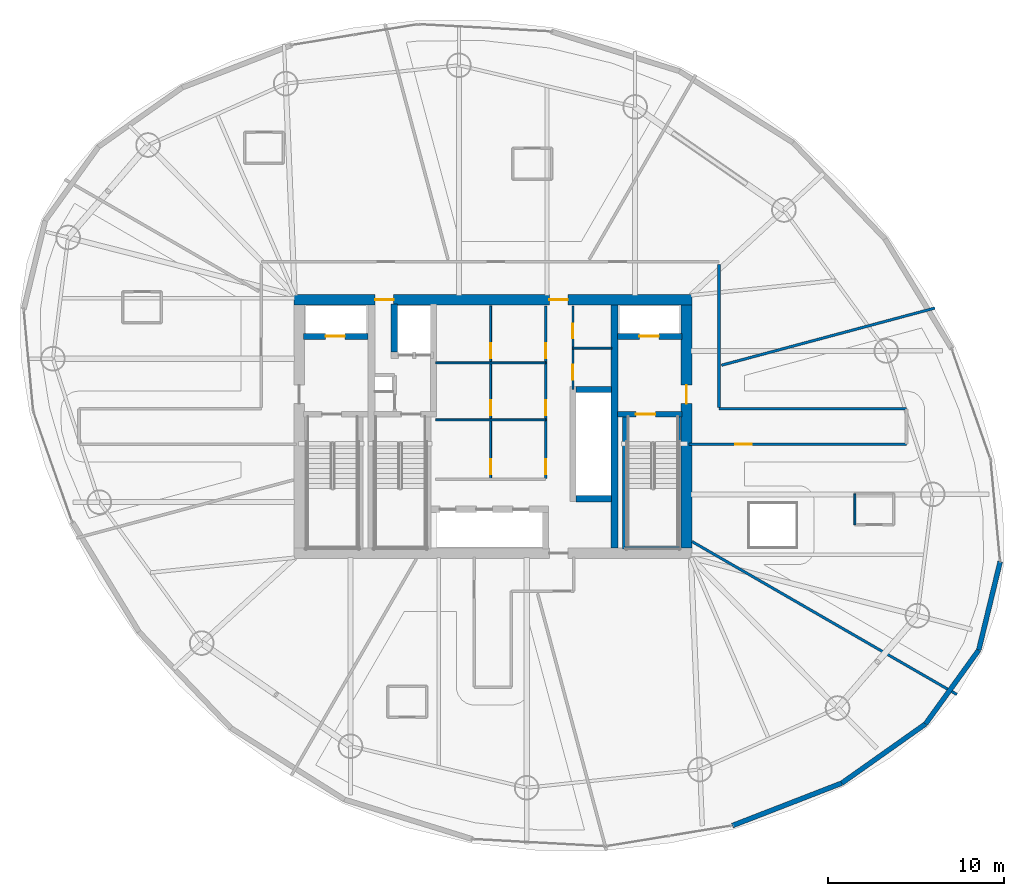
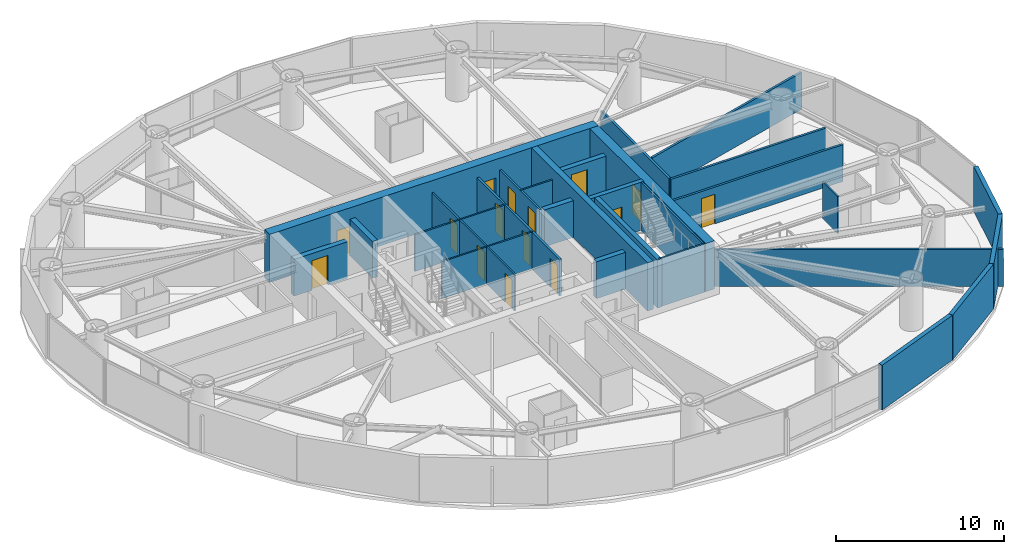
# One storey, part 16 of 20: 28 walls, 15 doors, 15 openings.
"""IFC4 building model written with IfcOpenShell, lengths in metres."""

from ifc_helpers import new_model, si_unit, direction, frame, frame_2d, origin, place, context, subcontext, project, spatial, rectangle, extrude, material, layer, layer_set, type_object, element, fill, save


model = new_model("IFC4")

# Units and contexts
model_context = context("Model", 3, precision=1e-05, world=origin(), true_north=direction((0.0, 1.0)))
body_context = subcontext(model_context, "Body", "Model", "MODEL_VIEW")
ifc_project = project(units=[si_unit("LENGTHUNIT", "METRE"), si_unit("AREAUNIT", "SQUARE_METRE"), si_unit("VOLUMEUNIT", "CUBIC_METRE"), si_unit("PLANEANGLEUNIT", "RADIAN"), si_unit("MASSUNIT", "GRAM", prefix="KILO")], contexts=[model_context])

# Site, building, storey
site_placement = place(None, origin())
site = spatial("IfcSite", under=ifc_project, at=site_placement, CompositionType="ELEMENT")
building_placement = place(site_placement, origin())
building = spatial("IfcBuilding", under=site, at=building_placement, Name="Bramvorn Convention Spire", CompositionType="ELEMENT")
storey_placement = place(building_placement, frame((0.0, 0.0, 130.800048828125)))
storey = spatial("IfcBuildingStorey", under=building, at=storey_placement, Name="L32", CompositionType="ELEMENT", Elevation=130.800048828125)

# Wall, openings, doors
ifc_material_1 = material(Name="Concrete C60/70", Category="concrete")
ifc_layer_1 = layer(ifc_material_1, 0.60009765625)
ifc_layer_set_1 = layer_set([ifc_layer_1], Name="Concrete C60/70 - WL-CORE-600")
wall_type_1 = type_object("IfcWallType", Name="WL-CORE-600", PredefinedType="SHEAR", material=ifc_layer_set_1)
wall_1_placement = place(storey_placement, frame((26.699951171875, 33.199951171875, 0.0), z_axis=(0.0, 0.0, 1.0), x_axis=(1.0, 0.0, 0.0)))
wall_1 = element("IfcWall", 1, at=wall_1_placement, inside=storey, type_object=wall_type_1, Name="L32 North RC core shear wall", PredefinedType="SHEAR", context=body_context, shape_type="SweptSolid", body=[
    extrude(rectangle(XDim=22.60009765625, YDim=0.60009765625, at=frame_2d((11.300048828125, 0.0))), origin(), (0.0, 0.0, 1.0), 3.5),
])
opening_1_placement = place(wall_1_placement, frame((4.6201171875, 0.0, 0.0)))
opening_1 = element("IfcOpeningElement", 2, at=opening_1_placement, cuts=wall_1, Name="Opening DL-105", PredefinedType="OPENING", context=body_context, shape_type="SweptSolid", body=[
    extrude(rectangle(XDim=1.050048828125, YDim=2.14990234375, at=frame_2d((0.52490234375, 1.074951171875))), frame((0.0, 0.31005859375, 0.0), z_axis=(0.0, -1.0, 0.0), x_axis=(1.0, 0.0, 0.0)), (0.0, 0.0, 1.0), 0.6201171875),
])
opening_2_placement = place(wall_1_placement, frame((14.52001953125, 0.0, 0.0)))
opening_2 = element("IfcOpeningElement", 3, at=opening_2_placement, cuts=wall_1, Name="Opening DL-105", PredefinedType="OPENING", context=body_context, shape_type="SweptSolid", body=[
    extrude(rectangle(XDim=1.050048828125, YDim=2.14990234375, at=frame_2d((0.52490234375, 1.074951171875))), frame((0.0, 0.31005859375, 0.0), z_axis=(0.0, -1.0, 0.0), x_axis=(1.0, 0.0, 0.0)), (0.0, 0.0, 1.0), 0.6201171875),
])
ifc_material_2 = material(Name="Smoke-Sealed Fire Lobby Timber-Core Door", Category="wood")
door_type_1 = type_object("IfcDoorType", Name="DR-LOBBY-1050", OperationType="NOTDEFINED", PredefinedType="DOOR", material=ifc_material_2)
door_1_placement = place(opening_1_placement, origin())
door_1 = element("IfcDoor", 4, at=door_1_placement, inside=storey, type_object=door_type_1, Name="L32 Service & Stair ST3 Lobby north corridor door", OperationType="SINGLE_SWING_LEFT", OverallHeight=2.14990234375, OverallWidth=1.050048828125, PredefinedType="DOOR", context=body_context, shape_type="SweptSolid", body=[
    extrude(rectangle(XDim=1.050048828125, YDim=2.14990234375, at=frame_2d((0.52490234375, 1.074951171875))), frame((0.0, 0.02490234375, 0.0), z_axis=(0.0, -1.0, 0.0), x_axis=(1.0, 0.0, 0.0)), (0.0, 0.0, 1.0), 0.050048828125),
])
fill(opening_1, door_1)
door_2_placement = place(opening_2_placement, origin())
door_2 = element("IfcDoor", 5, at=door_2_placement, inside=storey, type_object=door_type_1, Name="L32 North Lift Lobby fire door", OperationType="SINGLE_SWING_LEFT", OverallHeight=2.14990234375, OverallWidth=1.050048828125, PredefinedType="DOOR", context=body_context, shape_type="SweptSolid", body=[
    extrude(rectangle(XDim=1.050048828125, YDim=2.14990234375, at=frame_2d((0.52490234375, 1.074951171875))), frame((0.0, 0.02490234375, 0.0), z_axis=(0.0, -1.0, 0.0), x_axis=(1.0, 0.0, 0.0)), (0.0, 0.0, 1.0), 0.050048828125),
])
fill(opening_2, door_2)

# Wall, opening, door
wall_2_placement = place(storey_placement, frame((49.0, 19.10009765625, 0.0), z_axis=(0.0, 0.0, 1.0), x_axis=(0.0, 1.0, 0.0)))
wall_2 = element("IfcWall", 6, at=wall_2_placement, inside=storey, type_object=wall_type_1, Name="L32 East RC core shear wall", PredefinedType="SHEAR", context=body_context, shape_type="SweptSolid", body=[
    extrude(rectangle(XDim=13.7998046875, YDim=0.60009765625, at=frame_2d((6.89990234375, 0.0))), origin(), (0.0, 0.0, 1.0), 3.5),
])
opening_3_placement = place(wall_2_placement, frame((8.199951171875, 0.0, 0.0)))
opening_3 = element("IfcOpeningElement", 7, at=opening_3_placement, cuts=wall_2, Name="Opening DL-105", PredefinedType="OPENING", context=body_context, shape_type="SweptSolid", body=[
    extrude(rectangle(XDim=1.050048828125, YDim=2.14990234375, at=frame_2d((0.52490234375, 1.074951171875))), frame((0.0, 0.31005859375, 0.0), z_axis=(0.0, -1.0, 0.0), x_axis=(1.0, 0.0, 0.0)), (0.0, 0.0, 1.0), 0.6201171875),
])
door_3_placement = place(opening_3_placement, origin())
door_3 = element("IfcDoor", 8, at=door_3_placement, inside=storey, type_object=door_type_1, Name="L32 East Firefighting Lobby corridor door", OperationType="SINGLE_SWING_LEFT", OverallHeight=2.14990234375, OverallWidth=1.050048828125, PredefinedType="DOOR", context=body_context, shape_type="SweptSolid", body=[
    extrude(rectangle(XDim=1.050048828125, YDim=2.14990234375, at=frame_2d((0.52490234375, 1.074951171875))), frame((0.0, 0.02490234375, 0.0), z_axis=(0.0, -1.0, 0.0), x_axis=(1.0, 0.0, 0.0)), (0.0, 0.0, 1.0), 0.050048828125),
])
fill(opening_3, door_3)

ifc_material_3 = material(Name="Concrete C50/60", Category="concrete")
ifc_layer_2 = layer(ifc_material_3, 0.35009765625)
ifc_layer_set_2 = layer_set([ifc_layer_2], Name="Concrete C50/60 - WL-CORE-INT-350")
wall_type_2 = type_object("IfcWallType", Name="WL-CORE-INT-350", PredefinedType="SHEAR", material=ifc_layer_set_2)
wall_3_placement = place(storey_placement, frame((27.25, 31.1201171875, 0.0), z_axis=(0.0, 0.0, 1.0), x_axis=(1.0, 0.0, 0.0)))
wall_3 = element("IfcWall", 9, at=wall_3_placement, inside=storey, type_object=wall_type_2, Name="L32 FE1 shaft front wall", PredefinedType="SHEAR", context=body_context, shape_type="SweptSolid", body=[
    extrude(rectangle(XDim=3.669921875, YDim=0.35009765625, at=frame_2d((1.8349609375, 0.0))), origin(), (0.0, 0.0, 1.0), 2.675048828125),
])
opening_4_placement = place(wall_3_placement, frame((1.25, 0.0, 0.0)))
opening_4 = element("IfcOpeningElement", 10, at=opening_4_placement, cuts=wall_3, Name="Opening LD-110", PredefinedType="OPENING", context=body_context, shape_type="SweptSolid", body=[
    extrude(rectangle(XDim=1.10009765625, YDim=2.14990234375, at=frame_2d((0.550048828125, 1.074951171875))), frame((0.0, 0.18505859375, 0.0), z_axis=(0.0, -1.0, 0.0), x_axis=(1.0, 0.0, 0.0)), (0.0, 0.0, 1.0), 0.3701171875),
])
ifc_material_4 = material(Name="Firefighting & Service Lift Sliding Landing Door", Category="steel")
door_type_2 = type_object("IfcDoorType", Name="DR-LIFT-LD-1100", OperationType="NOTDEFINED", PredefinedType="DOOR", material=ifc_material_4)
door_4_placement = place(opening_4_placement, origin())
door_4 = element("IfcDoor", 11, at=door_4_placement, inside=storey, type_object=door_type_2, Name="L32 Lift FE1 Sliding Landing Door", OperationType="SLIDING_TO_LEFT", OverallHeight=2.14990234375, OverallWidth=1.10009765625, PredefinedType="DOOR", context=body_context, shape_type="SweptSolid", body=[
    extrude(rectangle(XDim=1.10009765625, YDim=2.14990234375, at=frame_2d((0.550048828125, 1.074951171875))), frame((0.0, 0.02490234375, 0.0), z_axis=(0.0, -1.0, 0.0), x_axis=(1.0, 0.0, 0.0)), (0.0, 0.0, 1.0), 0.050048828125),
])
fill(opening_4, door_4)

wall_4_placement = place(storey_placement, frame((45.080078125, 31.1201171875, 0.0), z_axis=(0.0, 0.0, 1.0), x_axis=(1.0, 0.0, 0.0)))
wall_4 = element("IfcWall", 12, at=wall_4_placement, inside=storey, type_object=wall_type_2, Name="L32 FE2 shaft front wall", PredefinedType="SHEAR", context=body_context, shape_type="SweptSolid", body=[
    extrude(rectangle(XDim=3.669921875, YDim=0.35009765625, at=frame_2d((1.8349609375, 0.0))), origin(), (0.0, 0.0, 1.0), 2.675048828125),
])
opening_5_placement = place(wall_4_placement, frame((1.25, 0.0, 0.0)))
opening_5 = element("IfcOpeningElement", 13, at=opening_5_placement, cuts=wall_4, Name="Opening LD-110", PredefinedType="OPENING", context=body_context, shape_type="SweptSolid", body=[
    extrude(rectangle(XDim=1.10009765625, YDim=2.14990234375, at=frame_2d((0.550048828125, 1.074951171875))), frame((0.0, 0.18505859375, 0.0), z_axis=(0.0, -1.0, 0.0), x_axis=(1.0, 0.0, 0.0)), (0.0, 0.0, 1.0), 0.3701171875),
])
door_5_placement = place(opening_5_placement, origin())
door_5 = element("IfcDoor", 14, at=door_5_placement, inside=storey, type_object=door_type_2, Name="L32 Lift FE2 Sliding Landing Door", OperationType="SLIDING_TO_LEFT", OverallHeight=2.14990234375, OverallWidth=1.10009765625, PredefinedType="DOOR", context=body_context, shape_type="SweptSolid", body=[
    extrude(rectangle(XDim=1.10009765625, YDim=2.14990234375, at=frame_2d((0.550048828125, 1.074951171875))), frame((0.0, 0.02490234375, 0.0), z_axis=(0.0, -1.0, 0.0), x_axis=(1.0, 0.0, 0.0)), (0.0, 0.0, 1.0), 0.050048828125),
])
fill(opening_5, door_5)

# Walls
wall_5_placement = place(storey_placement, frame((32.39990234375, 30.219970703125, 0.0), z_axis=(0.0, 0.0, 1.0), x_axis=(0.0, 1.0, 0.0)))
element("IfcWall", 15, at=wall_5_placement, inside=storey, type_object=wall_type_2, Name="L32 SV1 west hoistway wall", PredefinedType="SHEAR", context=body_context, shape_type="SweptSolid", body=[
    extrude(rectangle(XDim=2.72998046875, YDim=0.35009765625, at=frame_2d((1.364990234375, 0.0))), origin(), (0.0, 0.0, 1.0), 2.675048828125),
])
for number, where, z_axis, x_axis, name in (
    (16, (42.719970703125, 21.89990234375, 0.0), (0.0, 0.0, 1.0), (1.0, 0.0, 0.0), "L32 High-rise lift bank south wall"),
    (17, (42.719970703125, 28.10009765625, 0.0), (0.0, 0.0, 1.0), (1.0, 0.0, 0.0), "L32 High-rise lift bank north wall"),
):
    element("IfcWall", number, at=place(storey_placement, frame(where, z_axis=z_axis, x_axis=x_axis)), inside=storey, type_object=wall_type_2, Name=name, PredefinedType="SHEAR", context=body_context, shape_type="SweptSolid", body=[
        extrude(rectangle(XDim=2.030029296875, YDim=0.35009765625, at=frame_2d((1.01513671875, 0.0))), origin(), (0.0, 0.0, 1.0), 2.675048828125),
    ])
ifc_layer_3 = layer(ifc_material_1, 0.39990234375)
ifc_layer_set_3 = layer_set([ifc_layer_3], Name="Concrete C60/70 - WL-CORE-INT-400")
wall_type_3 = type_object("IfcWallType", Name="WL-CORE-INT-400", PredefinedType="SHEAR", material=ifc_layer_set_3)
wall_6_placement = place(storey_placement, frame((44.89990234375, 19.10009765625, 0.0), z_axis=(0.0, 0.0, 1.0), x_axis=(0.0, 1.0, 0.0)))
element("IfcWall", 18, at=wall_6_placement, inside=storey, type_object=wall_type_3, Name="L32 East internal core shear web", PredefinedType="SHEAR", context=body_context, shape_type="SweptSolid", body=[
    extrude(rectangle(XDim=13.7998046875, YDim=0.39990234375, at=frame_2d((6.89990234375, 0.0))), origin(), (0.0, 0.0, 1.0), 3.5),
])
ifc_material_5 = material(Name="Precast Concrete C40/50 with Bronze Terracotta Rainscreen", Category="masonry")
ifc_layer_4 = layer(ifc_material_5, 0.300048828125)
ifc_layer_set_4 = layer_set([ifc_layer_4], Name="Precast Concrete C40/50 with Bronze Terracotta Rainscreen - WL-EXT-BRONZE-300")
wall_type_4 = type_object("IfcWallType", Name="WL-EXT-BRONZE-300", PredefinedType="SOLIDWALL", material=ifc_layer_set_4)
wall_7_placement = place(storey_placement, frame((66.819091796875, 18.333984375, 0.0), z_axis=(0.0, 0.0, 1.0), x_axis=(-0.235490639643, -0.971876616984, 0.0)))
element("IfcWall", 19, at=wall_7_placement, inside=storey, type_object=wall_type_4, Name="L32 expressed bronze Gothic lancet pier wall 01", PredefinedType="SOLIDWALL", context=body_context, shape_type="SweptSolid", body=[
    extrude(rectangle(XDim=5.17431640625, YDim=0.280029296875, at=frame_2d((2.587158203125, 0.0))), origin(), (0.0, 0.0, 1.0), 3.260009765625),
])
wall_8_placement = place(storey_placement, frame((57.820556640625, 5.74609375, 0.0), z_axis=(0.0, 0.0, 1.0), x_axis=(-0.932242322599, -0.361834564347, 0.0)))
element("IfcWall", 20, at=wall_8_placement, inside=storey, type_object=wall_type_4, Name="L32 expressed bronze Gothic lancet pier wall 22", PredefinedType="SOLIDWALL", context=body_context, shape_type="SweptSolid", body=[
    extrude(rectangle(XDim=6.6650390625, YDim=0.280029296875, at=frame_2d((3.33251953125, 0.0))), origin(), (0.0, 0.0, 1.0), 3.260009765625),
])
wall_9_placement = place(storey_placement, frame((62.5751953125, 9.107421875, 0.0), z_axis=(0.0, 0.0, 1.0), x_axis=(-0.816553986167, -0.577269077358, 0.0)))
element("IfcWall", 21, at=wall_9_placement, inside=storey, type_object=wall_type_4, Name="L32 expressed bronze Gothic lancet pier wall 23", PredefinedType="SOLIDWALL", context=body_context, shape_type="SweptSolid", body=[
    extrude(rectangle(XDim=5.82275390625, YDim=0.280029296875, at=frame_2d((2.911376953125, 0.0))), origin(), (0.0, 0.0, 1.0), 3.260009765625),
])
wall_10_placement = place(storey_placement, frame((65.6005859375, 13.30517578125, 0.0), z_axis=(0.0, 0.0, 1.0), x_axis=(-0.584687491666, -0.811258612952, 0.0)))
element("IfcWall", 22, at=wall_10_placement, inside=storey, type_object=wall_type_4, Name="L32 expressed bronze Gothic lancet pier wall 24", PredefinedType="SOLIDWALL", context=body_context, shape_type="SweptSolid", body=[
    extrude(rectangle(XDim=5.17431640625, YDim=0.280029296875, at=frame_2d((2.587158203125, 0.0))), origin(), (0.0, 0.0, 1.0), 3.260009765625),
])

# Wall, openings, doors
ifc_material_6 = material(Name="Lightweight En-Suite & Wet-Wall Partition", Category="gypsum")
ifc_layer_5 = layer(ifc_material_6, 0.110107421875)
ifc_layer_set_5 = layer_set([ifc_layer_5], Name="Lightweight En-Suite & Wet-Wall Partition - WL-PART-110")
wall_type_5 = type_object("IfcWallType", Name="WL-PART-110", PredefinedType="PARTITIONING", material=ifc_layer_set_5)
wall_11_placement = place(storey_placement, frame((37.8798828125, 23.050048828125, 0.0), z_axis=(0.0, 0.0, 1.0), x_axis=(0.0, 1.0, 0.0)))
wall_11 = element("IfcWall", 23, at=wall_11_placement, inside=storey, type_object=wall_type_5, Name="L32 KB center wall", PredefinedType="PARTITIONING", context=body_context, shape_type="SweptSolid", body=[
    extrude(rectangle(XDim=9.800048828125, YDim=0.110107421875, at=frame_2d((4.89990234375, 0.0))), origin(), (0.0, 0.0, 1.0), 2.675048828125),
])
opening_6_placement = place(wall_11_placement, frame((0.25, 0.0, 0.0)))
opening_6 = element("IfcOpeningElement", 24, at=opening_6_placement, cuts=wall_11, Name="Opening DC-085", PredefinedType="OPENING", context=body_context, shape_type="SweptSolid", body=[
    extrude(rectangle(XDim=0.85009765625, YDim=2.10009765625, at=frame_2d((0.425048828125, 1.050048828125))), frame((0.0, 0.06494140625, 0.0), z_axis=(0.0, -1.0, 0.0), x_axis=(1.0, 0.0, 0.0)), (0.0, 0.0, 1.0), 0.130126953125),
])
opening_7_placement = place(wall_11_placement, frame((3.58203125, 0.0, 0.0)))
opening_7 = element("IfcOpeningElement", 25, at=opening_7_placement, cuts=wall_11, Name="Opening DC-085", PredefinedType="OPENING", context=body_context, shape_type="SweptSolid", body=[
    extrude(rectangle(XDim=0.85009765625, YDim=2.10009765625, at=frame_2d((0.425048828125, 1.050048828125))), frame((0.0, 0.06494140625, 0.0), z_axis=(0.0, -1.0, 0.0), x_axis=(1.0, 0.0, 0.0)), (0.0, 0.0, 1.0), 0.130126953125),
])
opening_8_placement = place(wall_11_placement, frame((6.81591796875, 0.0, 0.0)))
opening_8 = element("IfcOpeningElement", 26, at=opening_8_placement, cuts=wall_11, Name="Opening DC-085", PredefinedType="OPENING", context=body_context, shape_type="SweptSolid", body=[
    extrude(rectangle(XDim=0.85009765625, YDim=2.10009765625, at=frame_2d((0.425048828125, 1.050048828125))), frame((0.0, 0.06494140625, 0.0), z_axis=(0.0, -1.0, 0.0), x_axis=(1.0, 0.0, 0.0)), (0.0, 0.0, 1.0), 0.130126953125),
])
ifc_material_7 = material(Name="Fire-Rated Core Washroom & IDF Door", Category="wood")
door_type_3 = type_object("IfcDoorType", Name="DR-CORE-850", OperationType="NOTDEFINED", PredefinedType="DOOR", material=ifc_material_7)
door_6_placement = place(opening_6_placement, origin())
door_6 = element("IfcDoor", 27, at=door_6_placement, inside=storey, type_object=door_type_3, Name="L32 Core Linen Store door", OperationType="SINGLE_SWING_LEFT", OverallHeight=2.10009765625, OverallWidth=0.85009765625, PredefinedType="DOOR", context=body_context, shape_type="SweptSolid", body=[
    extrude(rectangle(XDim=0.85009765625, YDim=2.10009765625, at=frame_2d((0.425048828125, 1.050048828125))), frame((0.0, 0.02490234375, 0.0), z_axis=(0.0, -1.0, 0.0), x_axis=(1.0, 0.0, 0.0)), (0.0, 0.0, 1.0), 0.050048828125),
])
fill(opening_6, door_6)
door_7_placement = place(opening_7_placement, origin())
door_7 = element("IfcDoor", 28, at=door_7_placement, inside=storey, type_object=door_type_3, Name="L32 Core Metering Closet door", OperationType="SINGLE_SWING_LEFT", OverallHeight=2.10009765625, OverallWidth=0.85009765625, PredefinedType="DOOR", context=body_context, shape_type="SweptSolid", body=[
    extrude(rectangle(XDim=0.85009765625, YDim=2.10009765625, at=frame_2d((0.425048828125, 1.050048828125))), frame((0.0, 0.02490234375, 0.0), z_axis=(0.0, -1.0, 0.0), x_axis=(1.0, 0.0, 0.0)), (0.0, 0.0, 1.0), 0.050048828125),
])
fill(opening_7, door_7)
door_8_placement = place(opening_8_placement, origin())
door_8 = element("IfcDoor", 29, at=door_8_placement, inside=storey, type_object=door_type_3, Name="L32 Core Janitor Supply door", OperationType="SINGLE_SWING_LEFT", OverallHeight=2.10009765625, OverallWidth=0.85009765625, PredefinedType="DOOR", context=body_context, shape_type="SweptSolid", body=[
    extrude(rectangle(XDim=0.85009765625, YDim=2.10009765625, at=frame_2d((0.425048828125, 1.050048828125))), frame((0.0, 0.02490234375, 0.0), z_axis=(0.0, -1.0, 0.0), x_axis=(1.0, 0.0, 0.0)), (0.0, 0.0, 1.0), 0.050048828125),
])
fill(opening_8, door_8)

# Walls
for number, where, z_axis, x_axis, name in (
    (30, (34.75, 26.382080078125, 0.0), (0.0, 0.0, 1.0), (1.0, 0.0, 0.0), "L32 KB divider 1"),
    (31, (34.75, 29.615966796875, 0.0), (0.0, 0.0, 1.0), (1.0, 0.0, 0.0), "L32 KB divider 2"),
):
    element("IfcWall", number, at=place(storey_placement, frame(where, z_axis=z_axis, x_axis=x_axis)), inside=storey, type_object=wall_type_5, Name=name, PredefinedType="PARTITIONING", context=body_context, shape_type="SweptSolid", body=[
        extrude(rectangle(XDim=6.25, YDim=0.110107421875, at=frame_2d((3.125, 0.0))), origin(), (0.0, 0.0, 1.0), 2.675048828125),
    ])
wall_12_placement = place(storey_placement, frame((42.550048828125, 30.449951171875, 0.0), z_axis=(0.0, 0.0, 1.0), x_axis=(1.0, 0.0, 0.0)))
element("IfcWall", 32, at=wall_12_placement, inside=storey, type_object=wall_type_5, Name="L32 KB NE divider", PredefinedType="PARTITIONING", context=body_context, shape_type="SweptSolid", body=[
    extrude(rectangle(XDim=2.199951171875, YDim=0.110107421875, at=frame_2d((1.10009765625, 0.0))), origin(), (0.0, 0.0, 1.0), 2.675048828125),
])
wall_13_placement = place(storey_placement, frame((58.5693359375, 20.41357421875, 0.0), z_axis=(0.0, 0.0, 1.0), x_axis=(0.0, 1.0, 0.0)))
element("IfcWall", 33, at=wall_13_placement, inside=storey, type_object=wall_type_5, Name="Hotel Suite 3208 en-suite west wall", PredefinedType="PARTITIONING", context=body_context, shape_type="SweptSolid", body=[
    extrude(rectangle(XDim=1.760009765625, YDim=0.110107421875, at=frame_2d((0.8798828125, 0.0))), origin(), (0.0, 0.0, 1.0), 2.675048828125),
])

# Wall, openings, doors
ifc_material_8 = material(Name="Metal-Stud Demountable Office Partition", Category="gypsum")
ifc_layer_6 = layer(ifc_material_8, 0.1298828125)
ifc_layer_set_6 = layer_set([ifc_layer_6], Name="Metal-Stud Demountable Office Partition - WL-PART-130")
wall_type_6 = type_object("IfcWallType", Name="WL-PART-130", PredefinedType="PARTITIONING", material=ifc_layer_set_6)
wall_14_placement = place(storey_placement, frame((42.550048828125, 28.10009765625, 0.0), z_axis=(0.0, 0.0, 1.0), x_axis=(0.0, 1.0, 0.0)))
wall_14 = element("IfcWall", 34, at=wall_14_placement, inside=storey, type_object=wall_type_6, Name="L32 KB NE split wall", PredefinedType="PARTITIONING", context=body_context, shape_type="SweptSolid", body=[
    extrude(rectangle(XDim=4.75, YDim=0.1298828125, at=frame_2d((2.375, 0.0))), origin(), (0.0, 0.0, 1.0), 2.675048828125),
])
opening_9_placement = place(wall_14_placement, frame((0.550048828125, 0.0, 0.0)))
opening_9 = element("IfcOpeningElement", 35, at=opening_9_placement, cuts=wall_14, Name="Opening DC-085", PredefinedType="OPENING", context=body_context, shape_type="SweptSolid", body=[
    extrude(rectangle(XDim=0.85009765625, YDim=2.10009765625, at=frame_2d((0.425048828125, 1.050048828125))), frame((0.0, 0.074951171875, 0.0), z_axis=(0.0, -1.0, 0.0), x_axis=(1.0, 0.0, 0.0)), (0.0, 0.0, 1.0), 0.14990234375),
])
opening_10_placement = place(wall_14_placement, frame((2.89990234375, 0.0, 0.0)))
opening_10 = element("IfcOpeningElement", 36, at=opening_10_placement, cuts=wall_14, Name="Opening DC-085", PredefinedType="OPENING", context=body_context, shape_type="SweptSolid", body=[
    extrude(rectangle(XDim=0.85009765625, YDim=2.10009765625, at=frame_2d((0.425048828125, 1.050048828125))), frame((0.0, 0.074951171875, 0.0), z_axis=(0.0, -1.0, 0.0), x_axis=(1.0, 0.0, 0.0)), (0.0, 0.0, 1.0), 0.14990234375),
])
door_9_placement = place(opening_9_placement, origin())
door_9 = element("IfcDoor", 37, at=door_9_placement, inside=storey, type_object=door_type_3, Name="L32 Core Staff WC door", OperationType="SINGLE_SWING_LEFT", OverallHeight=2.10009765625, OverallWidth=0.85009765625, PredefinedType="DOOR", context=body_context, shape_type="SweptSolid", body=[
    extrude(rectangle(XDim=0.85009765625, YDim=2.10009765625, at=frame_2d((0.425048828125, 1.050048828125))), frame((0.0, 0.02490234375, 0.0), z_axis=(0.0, -1.0, 0.0), x_axis=(1.0, 0.0, 0.0)), (0.0, 0.0, 1.0), 0.050048828125),
])
fill(opening_9, door_9)
door_10_placement = place(opening_10_placement, origin())
door_10 = element("IfcDoor", 38, at=door_10_placement, inside=storey, type_object=door_type_3, Name="L32 Core Data Closet door", OperationType="SINGLE_SWING_LEFT", OverallHeight=2.10009765625, OverallWidth=0.85009765625, PredefinedType="DOOR", context=body_context, shape_type="SweptSolid", body=[
    extrude(rectangle(XDim=0.85009765625, YDim=2.10009765625, at=frame_2d((0.425048828125, 1.050048828125))), frame((0.0, 0.02490234375, 0.0), z_axis=(0.0, -1.0, 0.0), x_axis=(1.0, 0.0, 0.0)), (0.0, 0.0, 1.0), 0.050048828125),
])
fill(opening_10, door_10)

ifc_material_9 = material(Name="Acoustic Metal-Stud Tenant/Corridor Partition", Category="gypsum")
ifc_layer_7 = layer(ifc_material_9, 0.14990234375)
ifc_layer_set_7 = layer_set([ifc_layer_7], Name="Acoustic Metal-Stud Tenant/Corridor Partition - WL-PART-150")
wall_type_7 = type_object("IfcWallType", Name="WL-PART-150", PredefinedType="PARTITIONING", material=ifc_layer_set_7)
wall_15_placement = place(storey_placement, frame((41.0, 23.050048828125, 0.0), z_axis=(0.0, 0.0, 1.0), x_axis=(0.0, 1.0, 0.0)))
wall_15 = element("IfcWall", 39, at=wall_15_placement, inside=storey, type_object=wall_type_7, Name="L32 KB east core wall", PredefinedType="PARTITIONING", context=body_context, shape_type="SweptSolid", body=[
    extrude(rectangle(XDim=9.800048828125, YDim=0.14990234375, at=frame_2d((4.89990234375, 0.0))), origin(), (0.0, 0.0, 1.0), 2.675048828125),
])
opening_11_placement = place(wall_15_placement, frame((0.25, 0.0, 0.0)))
opening_11 = element("IfcOpeningElement", 40, at=opening_11_placement, cuts=wall_15, Name="Opening DC-085", PredefinedType="OPENING", context=body_context, shape_type="SweptSolid", body=[
    extrude(rectangle(XDim=0.85009765625, YDim=2.10009765625, at=frame_2d((0.425048828125, 1.050048828125))), frame((0.0, 0.0849609375, 0.0), z_axis=(0.0, -1.0, 0.0), x_axis=(1.0, 0.0, 0.0)), (0.0, 0.0, 1.0), 0.169921875),
])
opening_12_placement = place(wall_15_placement, frame((3.58203125, 0.0, 0.0)))
opening_12 = element("IfcOpeningElement", 41, at=opening_12_placement, cuts=wall_15, Name="Opening DC-085", PredefinedType="OPENING", context=body_context, shape_type="SweptSolid", body=[
    extrude(rectangle(XDim=0.85009765625, YDim=2.10009765625, at=frame_2d((0.425048828125, 1.050048828125))), frame((0.0, 0.0849609375, 0.0), z_axis=(0.0, -1.0, 0.0), x_axis=(1.0, 0.0, 0.0)), (0.0, 0.0, 1.0), 0.169921875),
])
opening_13_placement = place(wall_15_placement, frame((6.81591796875, 0.0, 0.0)))
opening_13 = element("IfcOpeningElement", 42, at=opening_13_placement, cuts=wall_15, Name="Opening DC-085", PredefinedType="OPENING", context=body_context, shape_type="SweptSolid", body=[
    extrude(rectangle(XDim=0.85009765625, YDim=2.10009765625, at=frame_2d((0.425048828125, 1.050048828125))), frame((0.0, 0.0849609375, 0.0), z_axis=(0.0, -1.0, 0.0), x_axis=(1.0, 0.0, 0.0)), (0.0, 0.0, 1.0), 0.169921875),
])
door_11_placement = place(opening_11_placement, origin())
door_11 = element("IfcDoor", 43, at=door_11_placement, inside=storey, type_object=door_type_3, Name="L32 Accessible Core Restroom door", OperationType="SINGLE_SWING_LEFT", OverallHeight=2.10009765625, OverallWidth=0.85009765625, PredefinedType="DOOR", context=body_context, shape_type="SweptSolid", body=[
    extrude(rectangle(XDim=0.85009765625, YDim=2.10009765625, at=frame_2d((0.425048828125, 1.050048828125))), frame((0.0, 0.02490234375, 0.0), z_axis=(0.0, -1.0, 0.0), x_axis=(1.0, 0.0, 0.0)), (0.0, 0.0, 1.0), 0.050048828125),
])
fill(opening_11, door_11)
door_12_placement = place(opening_12_placement, origin())
door_12 = element("IfcDoor", 44, at=door_12_placement, inside=storey, type_object=door_type_3, Name="L32 Floor Housekeeping & Linen Store door", OperationType="SINGLE_SWING_LEFT", OverallHeight=2.10009765625, OverallWidth=0.85009765625, PredefinedType="DOOR", context=body_context, shape_type="SweptSolid", body=[
    extrude(rectangle(XDim=0.85009765625, YDim=2.10009765625, at=frame_2d((0.425048828125, 1.050048828125))), frame((0.0, 0.02490234375, 0.0), z_axis=(0.0, -1.0, 0.0), x_axis=(1.0, 0.0, 0.0)), (0.0, 0.0, 1.0), 0.050048828125),
])
fill(opening_12, door_12)
door_13_placement = place(opening_13_placement, origin())
door_13 = element("IfcDoor", 45, at=door_13_placement, inside=storey, type_object=door_type_3, Name="L32 Gender-Neutral Core WC door", OperationType="SINGLE_SWING_LEFT", OverallHeight=2.10009765625, OverallWidth=0.85009765625, PredefinedType="DOOR", context=body_context, shape_type="SweptSolid", body=[
    extrude(rectangle(XDim=0.85009765625, YDim=2.10009765625, at=frame_2d((0.425048828125, 1.050048828125))), frame((0.0, 0.02490234375, 0.0), z_axis=(0.0, -1.0, 0.0), x_axis=(1.0, 0.0, 0.0)), (0.0, 0.0, 1.0), 0.050048828125),
])
fill(opening_13, door_13)

# Walls
wall_16_placement = place(storey_placement, frame((50.85009765625, 27.080078125, 0.0), z_axis=(0.0, 0.0, 1.0), x_axis=(0.0, 1.0, 0.0)))
element("IfcWall", 46, at=wall_16_placement, inside=storey, type_object=wall_type_7, Name="L32 NE gallery cheek", PredefinedType="PARTITIONING", context=body_context, shape_type="SweptSolid", body=[
    extrude(rectangle(XDim=8.119873046875, YDim=0.14990234375, at=frame_2d((4.06005859375, 0.0))), origin(), (0.0, 0.0, 1.0), 2.675048828125),
])
wall_17_placement = place(storey_placement, frame((50.85009765625, 27.0, 0.0), z_axis=(0.0, 0.0, 1.0), x_axis=(1.0, 0.0, 0.0)))
element("IfcWall", 47, at=wall_17_placement, inside=storey, type_object=wall_type_7, Name="L32 East wing spine north wall", PredefinedType="PARTITIONING", context=body_context, shape_type="SweptSolid", body=[
    extrude(rectangle(XDim=10.64990234375, YDim=0.14990234375, at=frame_2d((5.324951171875, 0.0))), origin(), (0.0, 0.0, 1.0), 2.675048828125),
])

# Wall, opening, door
wall_18_placement = place(storey_placement, frame((49.14990234375, 25.0, 0.0), z_axis=(0.0, 0.0, 1.0), x_axis=(1.0, 0.0, 0.0)))
wall_18 = element("IfcWall", 48, at=wall_18_placement, inside=storey, type_object=wall_type_7, Name="L32 East wing spine south wall", PredefinedType="PARTITIONING", context=body_context, shape_type="SweptSolid", body=[
    extrude(rectangle(XDim=12.35009765625, YDim=0.14990234375, at=frame_2d((6.175048828125, 0.0))), origin(), (0.0, 0.0, 1.0), 2.675048828125),
])
opening_14_placement = place(wall_18_placement, frame((2.612548828125, 0.0, 0.0)))
opening_14 = element("IfcOpeningElement", 49, at=opening_14_placement, cuts=wall_18, Name="Opening DH-095", PredefinedType="OPENING", context=body_context, shape_type="SweptSolid", body=[
    extrude(rectangle(XDim=0.949951171875, YDim=2.14990234375, at=frame_2d((0.47509765625, 1.074951171875))), frame((0.0, 0.0849609375, 0.0), z_axis=(0.0, -1.0, 0.0), x_axis=(1.0, 0.0, 0.0)), (0.0, 0.0, 1.0), 0.169921875),
])
ifc_material_10 = material(Name="Solid-Core Acoustic Guestroom Entry Door", Category="wood")
door_type_4 = type_object("IfcDoorType", Name="DR-HOTEL-950", OperationType="NOTDEFINED", PredefinedType="DOOR", material=ifc_material_10)
door_14_placement = place(opening_14_placement, origin())
door_14 = element("IfcDoor", 50, at=door_14_placement, inside=storey, type_object=door_type_4, Name="Hotel Suite 3208 entry door", OperationType="SINGLE_SWING_RIGHT", OverallHeight=2.14990234375, OverallWidth=0.949951171875, PredefinedType="DOOR", context=body_context, shape_type="SweptSolid", body=[
    extrude(rectangle(XDim=0.949951171875, YDim=2.14990234375, at=frame_2d((0.47509765625, 1.074951171875))), frame((0.0, 0.02490234375, 0.0), z_axis=(0.0, -1.0, 0.0), x_axis=(1.0, 0.0, 0.0)), (0.0, 0.0, 1.0), 0.050048828125),
])
fill(opening_14, door_14)

# Walls
wall_19_placement = place(storey_placement, frame((50.989990234375, 29.480712890625, 0.0), z_axis=(0.0, 0.0, 1.0), x_axis=(0.965924163202, 0.258825251749, 0.0)))
element("IfcWall", 51, at=wall_19_placement, inside=storey, type_object=wall_type_7, Name="L32 Guestroom demising wall 1", PredefinedType="PARTITIONING", context=body_context, shape_type="SweptSolid", body=[
    extrude(rectangle(XDim=12.54541015625, YDim=0.14990234375, at=frame_2d((6.272705078125, 0.0))), origin(), (0.0, 0.0, 1.0), 2.675048828125),
])
wall_20_placement = place(storey_placement, frame((49.320068359375, 19.46435546875, 0.0), z_axis=(0.0, 0.0, 1.0), x_axis=(0.86602498547, -0.500000724542, 0.0)))
element("IfcWall", 52, at=wall_20_placement, inside=storey, type_object=wall_type_7, Name="L32 Guestroom demising wall 8", PredefinedType="PARTITIONING", context=body_context, shape_type="SweptSolid", body=[
    extrude(rectangle(XDim=17.3662109375, YDim=0.14990234375, at=frame_2d((8.68310546875, 0.0))), origin(), (0.0, 0.0, 1.0), 2.675048828125),
])

# Wall, opening, door
ifc_layer_8 = layer(ifc_material_3, 0.300048828125)
ifc_layer_set_8 = layer_set([ifc_layer_8], Name="Concrete C50/60 - WL-POD-STAIR-300")
wall_type_8 = type_object("IfcWallType", Name="WL-POD-STAIR-300", PredefinedType="SHEAR", material=ifc_layer_set_8)
wall_21_placement = place(storey_placement, frame((45.080078125, 26.68994140625, 0.0), z_axis=(0.0, 0.0, 1.0), x_axis=(1.0, 0.0, 0.0)))
wall_21 = element("IfcWall", 53, at=wall_21_placement, inside=storey, type_object=wall_type_8, Name="L32 ST2 north fire wall", PredefinedType="SHEAR", context=body_context, shape_type="SweptSolid", body=[
    extrude(rectangle(XDim=3.669921875, YDim=0.300048828125, at=frame_2d((1.8349609375, 0.0))), origin(), (0.0, 0.0, 1.0), 3.5),
])
opening_15_placement = place(wall_21_placement, frame((1.050048828125, 0.0, 0.0)))
opening_15 = element("IfcOpeningElement", 54, at=opening_15_placement, cuts=wall_21, Name="Opening DS-110", PredefinedType="OPENING", context=body_context, shape_type="SweptSolid", body=[
    extrude(rectangle(XDim=1.10009765625, YDim=2.14990234375, at=frame_2d((0.550048828125, 1.074951171875))), frame((0.0, 0.159912109375, 0.0), z_axis=(0.0, -1.0, 0.0), x_axis=(1.0, 0.0, 0.0)), (0.0, 0.0, 1.0), 0.320068359375),
])
ifc_material_11 = material(Name="Fire-Rated Hollow Steel Stairwell Door", Category="steel")
door_type_5 = type_object("IfcDoorType", Name="DR-STAIR-1100", OperationType="NOTDEFINED", PredefinedType="DOOR", material=ifc_material_11)
door_15_placement = place(opening_15_placement, origin())
door_15 = element("IfcDoor", 55, at=door_15_placement, inside=storey, type_object=door_type_5, Name="L32 Stair ST2 fire door", OperationType="SINGLE_SWING_RIGHT", OverallHeight=2.14990234375, OverallWidth=1.10009765625, PredefinedType="DOOR", context=body_context, shape_type="SweptSolid", body=[
    extrude(rectangle(XDim=1.10009765625, YDim=2.14990234375, at=frame_2d((0.550048828125, 1.074951171875))), frame((0.0, 0.02490234375, 0.0), z_axis=(0.0, -1.0, 0.0), x_axis=(1.0, 0.0, 0.0)), (0.0, 0.0, 1.0), 0.050048828125),
])
fill(opening_15, door_15)

# Walls
wall_22_placement = place(storey_placement, frame((45.510009765625, 19.050048828125, 0.0), z_axis=(0.0, 0.0, 1.0), x_axis=(0.0, 1.0, 0.0)))
element("IfcWall", 56, at=wall_22_placement, inside=storey, type_object=wall_type_8, Name="L32 ST2 west bearing wall", PredefinedType="SHEAR", context=body_context, shape_type="SweptSolid", body=[
    extrude(rectangle(XDim=7.5, YDim=0.300048828125, at=frame_2d((3.75, 0.0))), origin(), (0.0, 0.0, 1.0), 3.5),
])
ifc_layer_9 = layer(ifc_material_3, 0.1201171875)
ifc_layer_set_9 = layer_set([ifc_layer_9], Name="Concrete C50/60 - WL-STAIR-RC-120")
wall_type_9 = type_object("IfcWallType", Name="WL-STAIR-RC-120", PredefinedType="SHEAR", material=ifc_layer_set_9)
wall_23_placement = place(storey_placement, frame((48.60498046875, 19.10009765625, 0.0), z_axis=(0.0, 0.0, 1.0), x_axis=(0.0, 1.0, 0.0)))
element("IfcWall", 57, at=wall_23_placement, inside=storey, type_object=wall_type_9, Name="L32 ST2 east bearing shear wall", PredefinedType="SHEAR", context=body_context, shape_type="SweptSolid", body=[
    extrude(rectangle(XDim=7.449951171875, YDim=0.1201171875, at=frame_2d((3.72509765625, 0.0))), origin(), (0.0, 0.0, 1.0), 3.5),
])
wall_24_placement = place(storey_placement, frame((45.510009765625, 19.159912109375, 0.0), z_axis=(0.0, 0.0, 1.0), x_axis=(1.0, 0.0, 0.0)))
element("IfcWall", 58, at=wall_24_placement, inside=storey, type_object=wall_type_9, Name="L32 ST2 south bearing shear wall", PredefinedType="SHEAR", context=body_context, shape_type="SweptSolid", body=[
    extrude(rectangle(XDim=3.094970703125, YDim=0.1201171875, at=frame_2d((1.54736328125, 0.0))), origin(), (0.0, 0.0, 1.0), 3.5),
])

save(model, "model.ifc")
